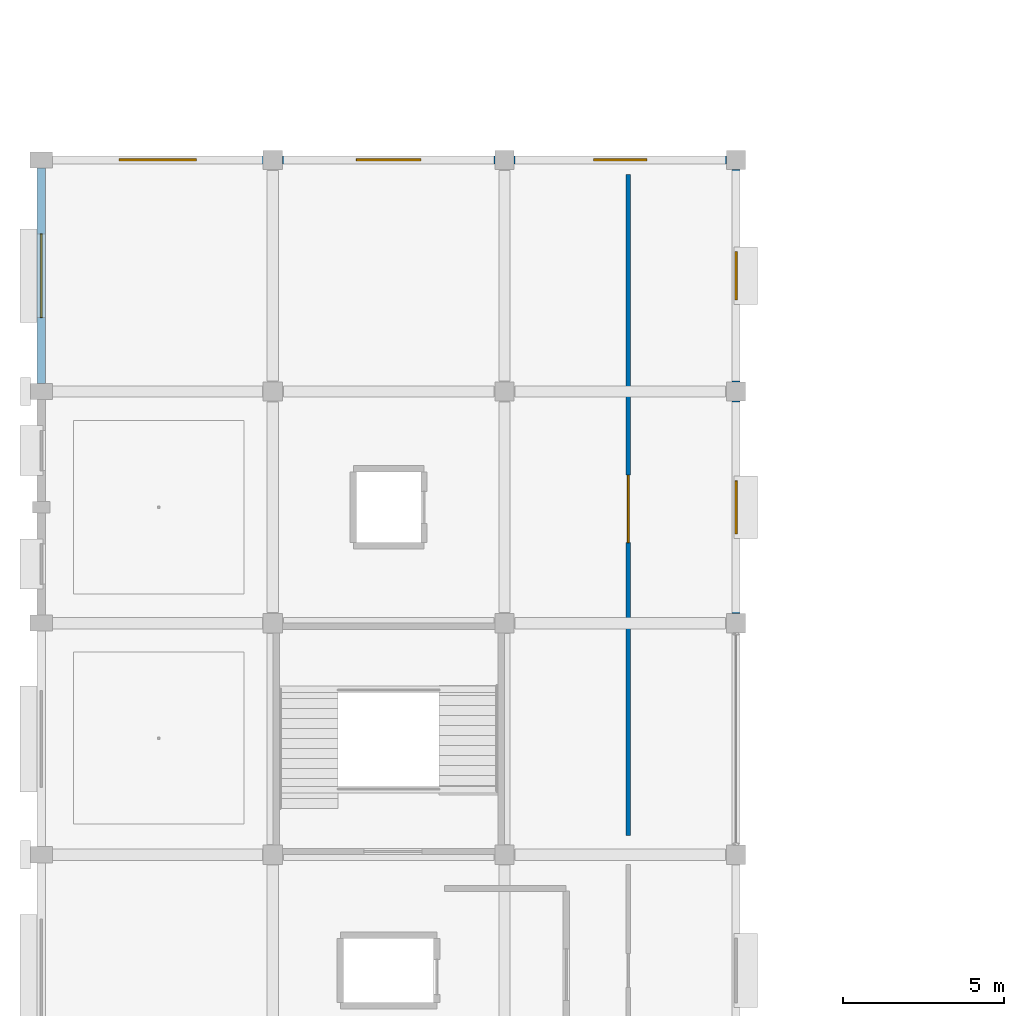
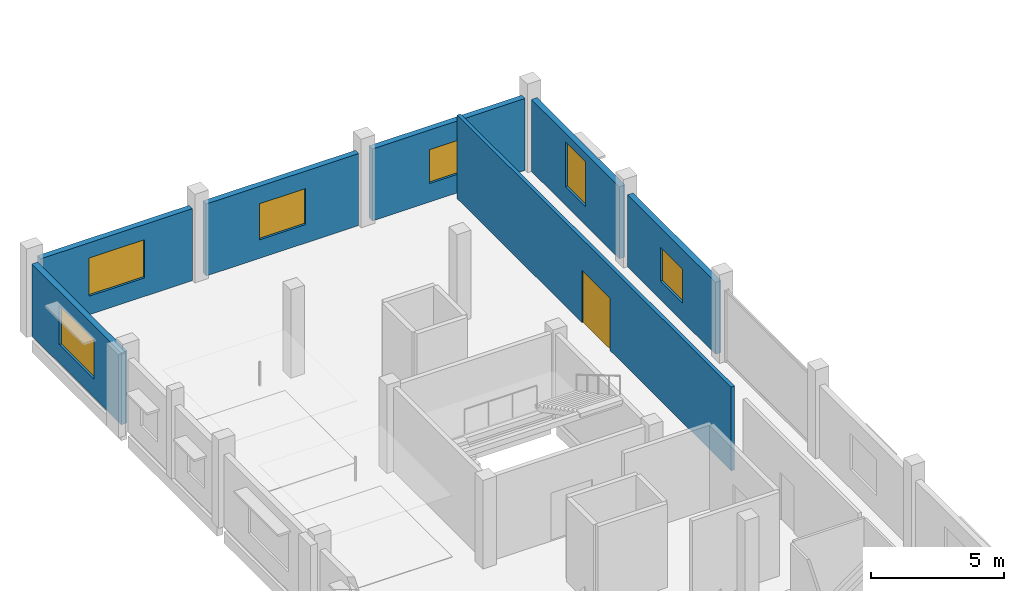
# One storey, part 16 of 26: 7 walls, 6 windows, 1 door, 7 openings.
"""IFC4 building model written with IfcOpenShell, lengths in metres."""

from ifc_helpers import new_model, si_unit, direction, frame, frame_2d, origin, place, context, subcontext, project, spatial, rectangle, extrude, material, layer, layer_set, type_object, element, fill, save


model = new_model("IFC4")

# Units and contexts
model_context = context("Model", 3, precision=1e-05, world=origin(), true_north=direction((0.0, 1.0)))
body_context = subcontext(model_context, "Body", "Model", "MODEL_VIEW")
ifc_project = project(units=[si_unit("LENGTHUNIT", "METRE"), si_unit("AREAUNIT", "SQUARE_METRE"), si_unit("VOLUMEUNIT", "CUBIC_METRE"), si_unit("PLANEANGLEUNIT", "RADIAN"), si_unit("MASSUNIT", "GRAM", prefix="KILO")], contexts=[model_context])

# Site, building, storey
site_placement = place(None, origin())
site = spatial("IfcSite", under=ifc_project, at=site_placement, CompositionType="ELEMENT")
building_placement = place(site_placement, origin())
building = spatial("IfcBuilding", under=site, at=building_placement, Name="Kangsadwip Square Police Headquarters", CompositionType="ELEMENT")
storey_placement = place(building_placement, frame((0.0, 0.0, 25.64990234375)))
storey = spatial("IfcBuildingStorey", under=building, at=storey_placement, Name="L06", CompositionType="ELEMENT", Elevation=25.64990234375)

# Wall, opening, door
ifc_material_1 = material(Name="Autoclaved aerated concrete blockwork masonry", Category="masonry")
ifc_layer_1 = layer(ifc_material_1, 0.14990234375)
ifc_layer_set_1 = layer_set([ifc_layer_1], Name="Autoclaved aerated concrete blockwork masonry")
wall_type_1 = type_object("IfcWallType", Name="BlockPartition150", PredefinedType="PARTITIONING", material=ifc_layer_set_1)
wall_1_placement = place(storey_placement, frame((18.25, 72.60009765625, 0.0), z_axis=(0.0, 0.0, 1.0), x_axis=(0.0, 1.0, 0.0)))
wall_1 = element("IfcWall", 1, at=wall_1_placement, inside=storey, type_object=wall_type_1, Name="Interior Wall WI-L06-0925", PredefinedType="PARTITIONING", context=body_context, shape_type="SweptSolid", body=[
    extrude(rectangle(XDim=20.5498046875, YDim=0.14990234375, at=frame_2d((10.27490234375, 0.0))), origin(), (0.0, 0.0, 1.0), 3.830078125),
])
opening_1_placement = place(wall_1_placement, frame((9.09912109375, 0.0, 0.0)))
opening_1 = element("IfcOpeningElement", 2, at=opening_1_placement, cuts=wall_1, Name="Opening ID-21", PredefinedType="OPENING", context=body_context, shape_type="SweptSolid", body=[
    extrude(rectangle(XDim=2.10009765625, YDim=2.39990234375, at=frame_2d((1.050048828125, 1.199951171875))), frame((0.0, 0.0849609375, 0.0), z_axis=(0.0, -1.0, 0.0), x_axis=(1.0, 0.0, 0.0)), (0.0, 0.0, 1.0), 0.169921875),
])
ifc_material_2 = material(Name="Solid-core seasoned teak hardwood architectural door", Category="wood")
door_type = type_object("IfcDoorType", Name="HallDoubleDoor2100x2400", OperationType="DOUBLE_DOOR_SINGLE_SWING", PredefinedType="DOOR", material=ifc_material_2)
door_placement = place(opening_1_placement, origin())
door = element("IfcDoor", 3, at=door_placement, inside=storey, type_object=door_type, Name="Interior Door ID-L06-0261", OperationType="DOUBLE_DOOR_SINGLE_SWING", OverallHeight=2.39990234375, OverallWidth=2.10009765625, PredefinedType="DOOR", context=body_context, shape_type="SweptSolid", body=[
    extrude(rectangle(XDim=2.10009765625, YDim=2.39990234375, at=frame_2d((1.050048828125, 1.199951171875))), frame((0.0, 0.02490234375, 0.0), z_axis=(0.0, -1.0, 0.0), x_axis=(1.0, 0.0, 0.0)), (0.0, 0.0, 1.0), 0.050048828125),
])
fill(opening_1, door)

# Wall, opening, window
ifc_material_3 = material(Name="Glazed architectural terracotta masonry rainscreen", Category="masonry")
ifc_layer_2 = layer(ifc_material_3, 0.25)
ifc_layer_set_2 = layer_set([ifc_layer_2], Name="Glazed architectural terracotta masonry rainscreen")
wall_type_2 = type_object("IfcWallType", Name="ChicagoTerracottaWall250", PredefinedType="SOLIDWALL", material=ifc_layer_set_2)
wall_2_placement = place(storey_placement, frame((0.344970703125, 93.60009765625, 0.0), z_axis=(0.0, 0.0, 1.0), x_axis=(1.0, 0.0, 0.0)))
wall_2 = element("IfcWall", 4, at=wall_2_placement, inside=storey, type_object=wall_type_2, Name="Exterior Wall WE-L06-540", PredefinedType="SOLIDWALL", context=body_context, shape_type="SweptSolid", body=[
    extrude(rectangle(XDim=6.56005859375, YDim=0.25, at=frame_2d((3.280029296875, 0.0))), origin(), (0.0, 0.0, 1.0), 3.295166015625),
])
opening_2_placement = place(wall_2_placement, frame((2.080078125, 0.0, 0.85009765625)))
opening_2 = element("IfcOpeningElement", 5, at=opening_2_placement, cuts=wall_2, Name="Opening WN-07", PredefinedType="OPENING", context=body_context, shape_type="SweptSolid", body=[
    extrude(rectangle(XDim=2.39990234375, YDim=1.75, at=frame_2d((1.199951171875, 0.875))), frame((0.0, 0.135009765625, 0.0), z_axis=(0.0, -1.0, 0.0), x_axis=(1.0, 0.0, 0.0)), (0.0, 0.0, 1.0), 0.27001953125),
])
ifc_material_4 = material(Name="Double-glazed solar-control low-E safety glass", Category="glass")
window_type_1 = type_object("IfcWindowType", Name="ChicagoDoubleMullWin2400x1750", PartitioningType="DOUBLE_PANEL_VERTICAL", PredefinedType="WINDOW", material=ifc_material_4)
window_1_placement = place(opening_2_placement, origin())
window_1 = element("IfcWindow", 6, at=window_1_placement, inside=storey, type_object=window_type_1, Name="Window WN-L06-0389", OverallHeight=1.75, OverallWidth=2.39990234375, PartitioningType="SINGLE_PANEL", PredefinedType="WINDOW", context=body_context, shape_type="SweptSolid", body=[
    extrude(rectangle(XDim=2.39990234375, YDim=1.75, at=frame_2d((1.199951171875, 0.875))), frame((0.0, 0.030029296875, 0.0), z_axis=(0.0, -1.0, 0.0), x_axis=(1.0, 0.0, 0.0)), (0.0, 0.0, 1.0), 0.06005859375),
])
fill(opening_2, window_1)

wall_3_placement = place(storey_placement, frame((7.4951171875, 93.60009765625, 0.0), z_axis=(0.0, 0.0, 1.0), x_axis=(1.0, 0.0, 0.0)))
wall_3 = element("IfcWall", 7, at=wall_3_placement, inside=storey, type_object=wall_type_2, Name="Exterior Wall WE-L06-541", PredefinedType="SOLIDWALL", context=body_context, shape_type="SweptSolid", body=[
    extrude(rectangle(XDim=6.60986328125, YDim=0.25, at=frame_2d((3.304931640625, 0.0))), origin(), (0.0, 0.0, 1.0), 3.295166015625),
])
opening_3_placement = place(wall_3_placement, frame((2.304931640625, 0.0, 0.85009765625)))
opening_3 = element("IfcOpeningElement", 8, at=opening_3_placement, cuts=wall_3, Name="Opening WN-09", PredefinedType="OPENING", context=body_context, shape_type="SweptSolid", body=[
    extrude(rectangle(XDim=2.0, YDim=1.64990234375, at=frame_2d((1.0, 0.824951171875))), frame((0.0, 0.135009765625, 0.0), z_axis=(0.0, -1.0, 0.0), x_axis=(1.0, 0.0, 0.0)), (0.0, 0.0, 1.0), 0.27001953125),
])
ifc_material_5 = material(Name="Double-glazed solar-control low-E safety glass", Category="glass")
window_type_2 = type_object("IfcWindowType", Name="ChicagoDoubleMullWin2000x1650", PartitioningType="DOUBLE_PANEL_VERTICAL", PredefinedType="WINDOW", material=ifc_material_5)
window_2_placement = place(opening_3_placement, origin())
window_2 = element("IfcWindow", 9, at=window_2_placement, inside=storey, type_object=window_type_2, Name="Window WN-L06-0390", OverallHeight=1.64990234375, OverallWidth=2.0, PartitioningType="SINGLE_PANEL", PredefinedType="WINDOW", context=body_context, shape_type="SweptSolid", body=[
    extrude(rectangle(XDim=2.0, YDim=1.64990234375, at=frame_2d((1.0, 0.824951171875))), frame((0.0, 0.030029296875, 0.0), z_axis=(0.0, -1.0, 0.0), x_axis=(1.0, 0.0, 0.0)), (0.0, 0.0, 1.0), 0.06005859375),
])
fill(opening_3, window_2)

wall_4_placement = place(storey_placement, frame((14.695068359375, 93.60009765625, 0.0), z_axis=(0.0, 0.0, 1.0), x_axis=(1.0, 0.0, 0.0)))
wall_4 = element("IfcWall", 10, at=wall_4_placement, inside=storey, type_object=wall_type_2, Name="Exterior Wall WE-L06-542", PredefinedType="SOLIDWALL", context=body_context, shape_type="SweptSolid", body=[
    extrude(rectangle(XDim=6.60986328125, YDim=0.25, at=frame_2d((3.304931640625, 0.0))), origin(), (0.0, 0.0, 1.0), 3.295166015625),
])
opening_4_placement = place(wall_4_placement, frame((2.47998046875, 0.0, 0.85009765625)))
opening_4 = element("IfcOpeningElement", 11, at=opening_4_placement, cuts=wall_4, Name="Opening WN-11", PredefinedType="OPENING", context=body_context, shape_type="SweptSolid", body=[
    extrude(rectangle(XDim=1.64990234375, YDim=1.550048828125, at=frame_2d((0.824951171875, 0.77490234375))), frame((0.0, 0.135009765625, 0.0), z_axis=(0.0, -1.0, 0.0), x_axis=(1.0, 0.0, 0.0)), (0.0, 0.0, 1.0), 0.27001953125),
])
ifc_material_6 = material(Name="Double-glazed solar-control low-E safety glass", Category="glass")
window_type_3 = type_object("IfcWindowType", Name="LabCleanViewWin1650x1550", PartitioningType="SINGLE_PANEL", PredefinedType="WINDOW", material=ifc_material_6)
window_3_placement = place(opening_4_placement, origin())
window_3 = element("IfcWindow", 12, at=window_3_placement, inside=storey, type_object=window_type_3, Name="Window WN-L06-0391", OverallHeight=1.550048828125, OverallWidth=1.64990234375, PartitioningType="SINGLE_PANEL", PredefinedType="WINDOW", context=body_context, shape_type="SweptSolid", body=[
    extrude(rectangle(XDim=1.64990234375, YDim=1.550048828125, at=frame_2d((0.824951171875, 0.77490234375))), frame((0.0, 0.030029296875, 0.0), z_axis=(0.0, -1.0, 0.0), x_axis=(1.0, 0.0, 0.0)), (0.0, 0.0, 1.0), 0.06005859375),
])
fill(opening_4, window_3)

wall_5_placement = place(storey_placement, frame((0.0, 86.64501953125, 0.0), z_axis=(0.0, 0.0, 1.0), x_axis=(0.0, 1.0, 0.0)))
wall_5 = element("IfcWall", 13, at=wall_5_placement, inside=storey, type_object=wall_type_2, Name="Exterior Wall WE-L06-556", PredefinedType="SOLIDWALL", context=body_context, shape_type="SweptSolid", body=[
    extrude(rectangle(XDim=6.7099609375, YDim=0.25, at=frame_2d((3.35498046875, 0.0))), origin(), (0.0, 0.0, 1.0), 3.295166015625),
])
opening_5_placement = place(wall_5_placement, frame((2.054931640625, 0.0, 0.85009765625)))
opening_5 = element("IfcOpeningElement", 14, at=opening_5_placement, cuts=wall_5, Name="Opening WN-06", PredefinedType="OPENING", context=body_context, shape_type="SweptSolid", body=[
    extrude(rectangle(XDim=2.60009765625, YDim=1.800048828125, at=frame_2d((1.300048828125, 0.89990234375))), frame((0.0, 0.135009765625, 0.0), z_axis=(0.0, -1.0, 0.0), x_axis=(1.0, 0.0, 0.0)), (0.0, 0.0, 1.0), 0.27001953125),
])
ifc_material_7 = material(Name="Double-glazed solar-control low-E safety glass", Category="glass")
window_type_4 = type_object("IfcWindowType", Name="ChicagoDoubleMullWin2600x1800", PartitioningType="DOUBLE_PANEL_VERTICAL", PredefinedType="WINDOW", material=ifc_material_7)
window_4_placement = place(opening_5_placement, origin())
window_4 = element("IfcWindow", 15, at=window_4_placement, inside=storey, type_object=window_type_4, Name="Window WN-L06-0405", OverallHeight=1.800048828125, OverallWidth=2.60009765625, PartitioningType="SINGLE_PANEL", PredefinedType="WINDOW", context=body_context, shape_type="SweptSolid", body=[
    extrude(rectangle(XDim=2.60009765625, YDim=1.800048828125, at=frame_2d((1.300048828125, 0.89990234375))), frame((0.0, 0.030029296875, 0.0), z_axis=(0.0, -1.0, 0.0), x_axis=(1.0, 0.0, 0.0)), (0.0, 0.0, 1.0), 0.06005859375),
])
fill(opening_5, window_4)

wall_6_placement = place(storey_placement, frame((21.60009765625, 79.4951171875, 0.0), z_axis=(0.0, 0.0, 1.0), x_axis=(0.0, 1.0, 0.0)))
wall_6 = element("IfcWall", 16, at=wall_6_placement, inside=storey, type_object=wall_type_2, Name="Exterior Wall WE-L06-561", PredefinedType="SOLIDWALL", context=body_context, shape_type="SweptSolid", body=[
    extrude(rectangle(XDim=6.60986328125, YDim=0.25, at=frame_2d((3.304931640625, 0.0))), origin(), (0.0, 0.0, 1.0), 3.295166015625),
])
opening_6_placement = place(wall_6_placement, frame((2.47998046875, 0.0, 0.85009765625)))
opening_6 = element("IfcOpeningElement", 17, at=opening_6_placement, cuts=wall_6, Name="Opening WN-11", PredefinedType="OPENING", context=body_context, shape_type="SweptSolid", body=[
    extrude(rectangle(XDim=1.64990234375, YDim=1.550048828125, at=frame_2d((0.824951171875, 0.77490234375))), frame((0.0, 0.135009765625, 0.0), z_axis=(0.0, -1.0, 0.0), x_axis=(1.0, 0.0, 0.0)), (0.0, 0.0, 1.0), 0.27001953125),
])
window_5_placement = place(opening_6_placement, origin())
window_5 = element("IfcWindow", 18, at=window_5_placement, inside=storey, type_object=window_type_3, Name="Window WN-L06-0410", OverallHeight=1.550048828125, OverallWidth=1.64990234375, PartitioningType="SINGLE_PANEL", PredefinedType="WINDOW", context=body_context, shape_type="SweptSolid", body=[
    extrude(rectangle(XDim=1.64990234375, YDim=1.550048828125, at=frame_2d((0.824951171875, 0.77490234375))), frame((0.0, 0.030029296875, 0.0), z_axis=(0.0, -1.0, 0.0), x_axis=(1.0, 0.0, 0.0)), (0.0, 0.0, 1.0), 0.06005859375),
])
fill(opening_6, window_5)

wall_7_placement = place(storey_placement, frame((21.60009765625, 86.695068359375, 0.0), z_axis=(0.0, 0.0, 1.0), x_axis=(0.0, 1.0, 0.0)))
wall_7 = element("IfcWall", 19, at=wall_7_placement, inside=storey, type_object=wall_type_2, Name="Exterior Wall WE-L06-562", PredefinedType="SOLIDWALL", context=body_context, shape_type="SweptSolid", body=[
    extrude(rectangle(XDim=6.60986328125, YDim=0.25, at=frame_2d((3.304931640625, 0.0))), origin(), (0.0, 0.0, 1.0), 3.295166015625),
])
opening_7_placement = place(wall_7_placement, frame((2.554931640625, 0.0, 0.85009765625)))
opening_7 = element("IfcOpeningElement", 20, at=opening_7_placement, cuts=wall_7, Name="Opening WN-12", PredefinedType="OPENING", context=body_context, shape_type="SweptSolid", body=[
    extrude(rectangle(XDim=1.5, YDim=2.050048828125, at=frame_2d((0.75, 1.02490234375))), frame((0.0, 0.135009765625, 0.0), z_axis=(0.0, -1.0, 0.0), x_axis=(1.0, 0.0, 0.0)), (0.0, 0.0, 1.0), 0.27001953125),
])
ifc_material_8 = material(Name="Double-glazed solar-control low-E safety glass", Category="glass")
window_type_5 = type_object("IfcWindowType", Name="DirectorateTallWin1500x2050", PartitioningType="SINGLE_PANEL", PredefinedType="WINDOW", material=ifc_material_8)
window_6_placement = place(opening_7_placement, origin())
window_6 = element("IfcWindow", 21, at=window_6_placement, inside=storey, type_object=window_type_5, Name="Window WN-L06-0411", OverallHeight=2.050048828125, OverallWidth=1.5, PartitioningType="SINGLE_PANEL", PredefinedType="WINDOW", context=body_context, shape_type="SweptSolid", body=[
    extrude(rectangle(XDim=1.5, YDim=2.050048828125, at=frame_2d((0.75, 1.02490234375))), frame((0.0, 0.030029296875, 0.0), z_axis=(0.0, -1.0, 0.0), x_axis=(1.0, 0.0, 0.0)), (0.0, 0.0, 1.0), 0.06005859375),
])
fill(opening_7, window_6)

save(model, "model.ifc")
